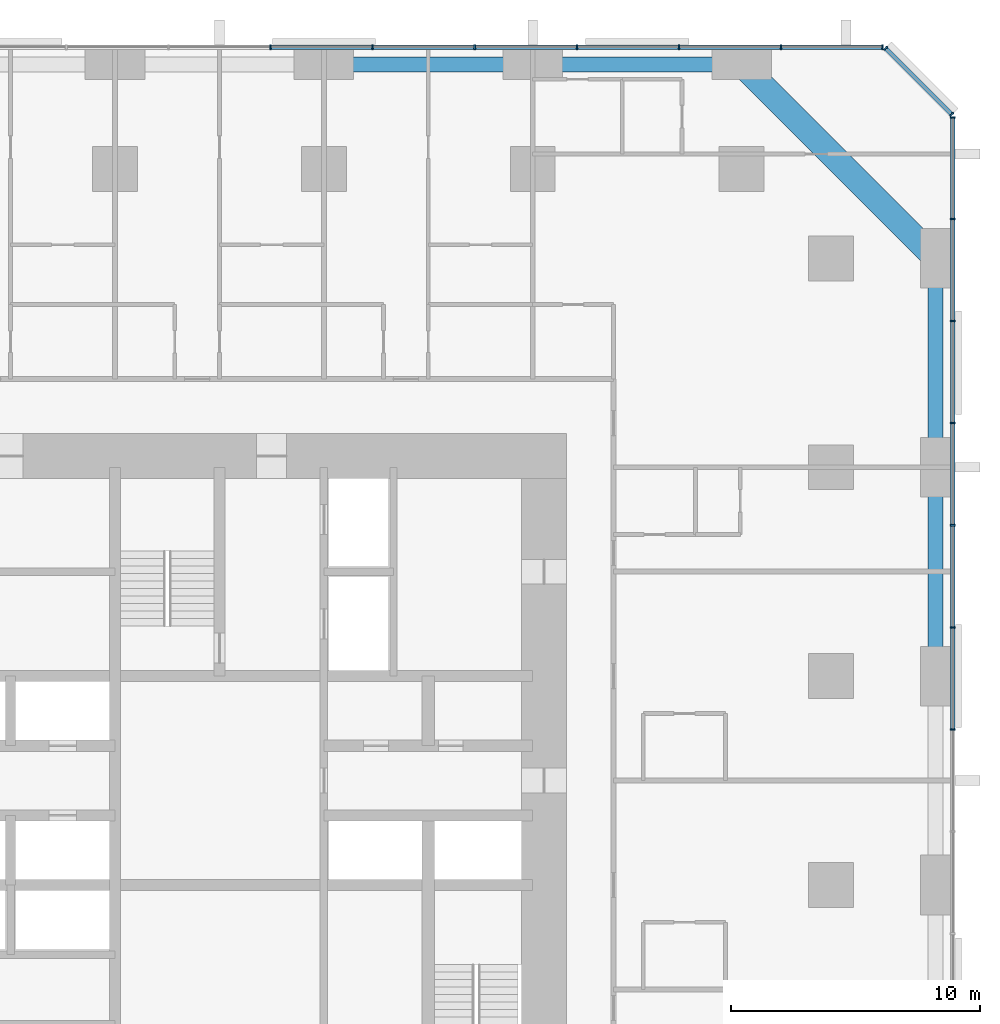
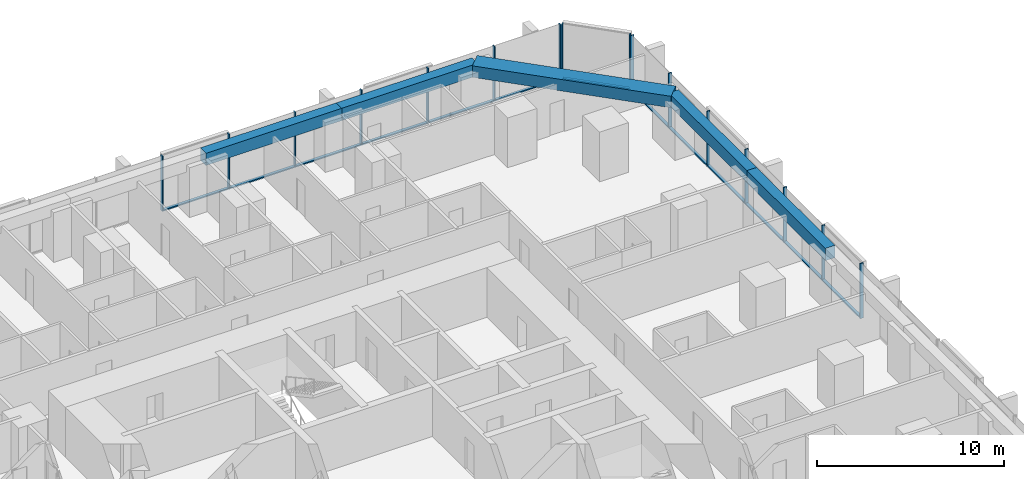
# One storey, part 8 of 17: 29 members, 5 beams, 3 elements without a shape of their own.
"""IFC4 building model written with IfcOpenShell, lengths in metres."""

import ifcopenshell
import ifcopenshell.guid

model = None  # the IFC model being written
_history = None  # IfcOwnerHistory: only IFC2X3 demands one
_inside = {}  # id of a spatial element -> (the spatial element, [elements in it])
_under = {}  # id of a project, library or spatial element -> (it, [spatial elements below it])
_declared = {}  # id of a project -> (the project, [libraries it declares])
_typed = {}  # id of a type object -> (the type object, [elements of that type])
_made_of = {}  # id of a material, layer set ... -> (it, [elements and type objects made of it])


def new_model(schema):
    """Start an empty IFC model of exactly this schema.

    Asked for "IFC4X3", IfcOpenShell would pick the latest addendum, in which some entities
    have other attributes; the version numbers below select the first issue.
    IFC2X3 requires an IfcOwnerHistory on every rooted entity: one is made here for all.
    """
    global model, _history
    if schema == "IFC4X3":
        model = ifcopenshell.file(schema_version=(4, 3, 0, 0))
    else:
        model = ifcopenshell.file(schema=schema)
    _inside.clear()
    _under.clear()
    _declared.clear()
    _typed.clear()
    _made_of.clear()
    _history = None
    if model.schema == "IFC2X3":
        org = make("IfcOrganization", Name="unknown")
        user = make(
            "IfcPersonAndOrganization",
            ThePerson=make("IfcPerson", FamilyName="unknown"),
            TheOrganization=org,
        )
        app = make(
            "IfcApplication",
            ApplicationDeveloper=org,
            Version="unknown",
            ApplicationFullName="unknown",
            ApplicationIdentifier="unknown",
        )
        _history = make(
            "IfcOwnerHistory",
            OwningUser=user,
            OwningApplication=app,
            ChangeAction="ADDED",
            CreationDate=0,
        )
    return model


def make(cls, **values):
    """One entity of the class cls with the attributes given. An attribute that is None is left unset."""
    return model.create_entity(
        cls, **{name: value for name, value in values.items() if value is not None}
    )


def rooted(cls, **values):
    """An entity with a GlobalId (a new one), such as an element, a storey or a relation."""
    return make(cls, GlobalId=ifcopenshell.guid.new(), OwnerHistory=_history, **values)


def si_unit(unit_type, name, prefix=None):
    """IfcSIUnit, for example si_unit("LENGTHUNIT", "METRE", prefix="MILLI")."""
    return make("IfcSIUnit", UnitType=unit_type, Prefix=prefix, Name=name)


def assignment(units):
    """IfcUnitAssignment: the units of a project."""
    return None if units is None else make("IfcUnitAssignment", Units=units)


def point(xyz):
    """IfcCartesianPoint."""
    return None if xyz is None else make("IfcCartesianPoint", Coordinates=xyz)


def direction(xyz):
    """IfcDirection."""
    return None if xyz is None else make("IfcDirection", DirectionRatios=xyz)


def frame(location, z_axis=None, x_axis=None):
    """IfcAxis2Placement3D, a coordinate frame: its origin and axes. An axis left out is left unset."""
    return make(
        "IfcAxis2Placement3D",
        Location=point(location),
        Axis=direction(z_axis),
        RefDirection=direction(x_axis),
    )


def frame_2d(location, x_axis=None):
    """IfcAxis2Placement2D, a coordinate frame in the plane: its origin and x axis."""
    return make(
        "IfcAxis2Placement2D", Location=point(location), RefDirection=direction(x_axis)
    )


def origin():
    """The frame at (0, 0, 0) with its axes left unset."""
    return frame((0.0, 0.0, 0.0))


def origin_2d():
    """The frame at (0, 0) in the plane with its x axis left unset."""
    return frame_2d((0.0, 0.0))


def place(relative_to, where):
    """IfcLocalPlacement: puts the frame where relative to a parent placement (None: the world)."""
    return make(
        "IfcLocalPlacement", PlacementRelTo=relative_to, RelativePlacement=where
    )


def context(
    kind, dimensions, precision=None, world=None, true_north=None, identifier=None
):
    """IfcGeometricRepresentationContext, for example the 3D "Model" context."""
    return make(
        "IfcGeometricRepresentationContext",
        ContextIdentifier=identifier,
        ContextType=kind,
        CoordinateSpaceDimension=dimensions,
        Precision=precision,
        WorldCoordinateSystem=world,
        TrueNorth=true_north,
    )


def subcontext(parent, identifier, kind, view, scale=None):
    """IfcGeometricRepresentationSubContext, for example "Body" below "Model"."""
    return make(
        "IfcGeometricRepresentationSubContext",
        ContextIdentifier=identifier,
        ContextType=kind,
        ParentContext=parent,
        TargetScale=scale,
        TargetView=view,
    )


def project(units=None, contexts=None):
    """IfcProject with its units and contexts."""
    return rooted(
        "IfcProject",
        Name="project",
        RepresentationContexts=contexts,
        UnitsInContext=assignment(units),
    )


def spatial(cls, under=None, at=None, **own):
    """A site, building, storey or space (cls), placed at a placement, below another one or the project."""
    s = rooted(cls, ObjectPlacement=at, **own)
    if under is not None:
        _under.setdefault(under.id(), (under, []))[1].append(s)
    return s


def profile(cls, at=None, kind="AREA", **sizes):
    """A parametric profile (cls). Its sizes go by their IFC names, for example OverallWidth=200.0."""
    return make(cls, ProfileType=kind, Position=at, **sizes)


def rectangle(**sizes):
    """IfcRectangleProfileDef."""
    return profile("IfcRectangleProfileDef", **sizes)


def extrude(swept, where, along, depth):
    """IfcExtrudedAreaSolid: the profile swept, set in the frame where, extruded along a direction by depth."""
    return make(
        "IfcExtrudedAreaSolid",
        SweptArea=swept,
        Position=where,
        ExtrudedDirection=direction(along),
        Depth=depth,
    )


def shape(context_of_items, identifier, shape_type, items):
    """IfcShapeRepresentation: the items that make up one representation, for example the "Body"."""
    return make(
        "IfcShapeRepresentation",
        ContextOfItems=context_of_items,
        RepresentationIdentifier=identifier,
        RepresentationType=shape_type,
        Items=items,
    )


def material(Name=None, Category=None):
    """IfcMaterial."""
    return make("IfcMaterial", Name=Name, Category=Category)


def material_profile(
    of_material, cross_section, Name=None, Category=None, Priority=None
):
    """IfcMaterialProfile: a cross section and its material."""
    return make(
        "IfcMaterialProfile",
        Name=Name,
        Material=of_material,
        Profile=cross_section,
        Priority=Priority,
        Category=Category,
    )


def profile_set(profiles, Name=None, composite=None):
    """IfcMaterialProfileSet."""
    return make(
        "IfcMaterialProfileSet",
        Name=Name,
        MaterialProfiles=profiles,
        CompositeProfile=composite,
    )


def made_of(thing, what):
    """Note that an element or type object is made of a material, layer set ...; save() writes the relation."""
    if what is not None:
        _made_of.setdefault(what.id(), (what, []))[1].append(thing)
    return thing


def type_object(cls, material=None, **own):
    """A type object (cls), such as IfcWallType, which elements share."""
    return made_of(rooted(cls, **own), material)


def element(
    cls,
    number,
    at=None,
    inside=None,
    cuts=None,
    type_object=None,
    material=None,
    context=None,
    identifier="Body",
    shape_type=None,
    held_by="IfcProductDefinitionShape",
    body=None,
    shapes=None,
    **own,
):
    """One element of the class cls, such as IfcWall. Its Tag is "e" and its number.

    at: its placement. inside: the storey or other place that contains it. cuts: it is an
    opening in that element (IfcRelVoidsElement). A single representation is given by context,
    identifier, shape_type and body (its items); several are given by shapes. held_by: the class
    of the entity that holds the representations. save() writes the other relations.
    """
    e = rooted(cls, Tag="e%d" % number, ObjectPlacement=at, **own)
    if body is not None:
        shapes = [shape(context, identifier, shape_type, body)]
    if shapes is not None:
        e.Representation = make(held_by, Representations=shapes)
    if inside is not None:
        _inside.setdefault(inside.id(), (inside, []))[1].append(e)
    if cuts is not None:
        rooted(
            "IfcRelVoidsElement", RelatingBuildingElement=cuts, RelatedOpeningElement=e
        )
    if type_object is not None:
        _typed.setdefault(type_object.id(), (type_object, []))[1].append(e)
    return made_of(e, material)


def aggregate(whole, parts):
    """IfcRelAggregates: a whole, such as a stair, and the parts it consists of."""
    return rooted("IfcRelAggregates", RelatingObject=whole, RelatedObjects=parts)


def save(model, path):
    """Write the relations noted so far, then the file.

    IfcRelAggregates (storeys below a building ...), IfcRelContainedInSpatialStructure (elements
    in a storey), IfcRelDefinesByType, IfcRelAssociatesMaterial and IfcRelDeclares: one each for
    every whole, place, type object, material and project.
    """
    for whole, parts in _under.values():
        aggregate(whole, parts)
    for where, things in _inside.values():
        rooted(
            "IfcRelContainedInSpatialStructure",
            RelatedElements=things,
            RelatingStructure=where,
        )
    for kind, things in _typed.values():
        rooted("IfcRelDefinesByType", RelatedObjects=things, RelatingType=kind)
    for what, things in _made_of.values():
        rooted("IfcRelAssociatesMaterial", RelatedObjects=things, RelatingMaterial=what)
    for by, libraries in _declared.values():
        rooted("IfcRelDeclares", RelatingContext=by, RelatedDefinitions=libraries)
    model.write(path)


model = new_model("IFC4")

# Units and contexts
model_context = context("Model", 3, precision=1e-05, world=origin(), true_north=direction((0.0, 1.0)))
body_context = subcontext(model_context, "Body", "Model", "MODEL_VIEW")
ifc_project = project(units=[si_unit("LENGTHUNIT", "METRE"), si_unit("AREAUNIT", "SQUARE_METRE"), si_unit("VOLUMEUNIT", "CUBIC_METRE"), si_unit("PLANEANGLEUNIT", "RADIAN"), si_unit("MASSUNIT", "GRAM", prefix="KILO")], contexts=[model_context])

# Site, building, storey
site_placement = place(None, origin())
site = spatial("IfcSite", under=ifc_project, at=site_placement, CompositionType="ELEMENT")
building_placement = place(site_placement, origin())
building = spatial("IfcBuilding", under=site, at=building_placement, Name="Dunama Terrace Hotel", CompositionType="ELEMENT")
storey_placement = place(building_placement, frame((0.0, 0.0, 45.0)))
storey = spatial("IfcBuildingStorey", under=building, at=storey_placement, Name="L10", CompositionType="ELEMENT", Elevation=45.0)

# Curtain wall, members
ifc_material_1 = material(Name="Aluminium curtain wall system", Category="aluminium")
curtain_wall_type = type_object("IfcCurtainWallType", Name="Unitised fritted glass wall CW-A", PredefinedType="NOTDEFINED", material=ifc_material_1)
curtain_wall_1_placement = place(storey_placement, origin())
curtain_wall_1 = element("IfcCurtainWall", 1, at=curtain_wall_1_placement, inside=storey, type_object=curtain_wall_type, Name="Unitised fritted glass wall CW-A L10", PredefinedType="NOTDEFINED")
ifc_material_2 = material(Name="Aluminium mullion", Category="aluminium")
ifc_material_profile_1 = material_profile(ifc_material_2, rectangle(XDim=0.06494140625, YDim=0.199951171875, at=origin_2d()), Name="CWA MULLION 65X200")
ifc_profile_set_1 = profile_set([ifc_material_profile_1], Name="Aluminium mullion")
member_type_1 = type_object("IfcMemberType", Name="CWA mullion 65x200", PredefinedType="MULLION", material=ifc_profile_set_1)
member_1_placement = place(storey_placement, frame((58.89990234375, 31.4541015625, 0.0), z_axis=(0.0, 0.0, 1.0), x_axis=(0.0, 1.0, 0.0)))
member_1 = element("IfcMember", 2, at=member_1_placement, type_object=member_type_1, Name="CWA mullion", PredefinedType="MULLION", context=body_context, shape_type="SweptSolid", body=[
    extrude(rectangle(XDim=0.06494140625, YDim=0.199951171875, at=origin_2d()), origin(), (0.0, 0.0, 1.0), 3.60009765625),
])
member_2_placement = place(storey_placement, frame((58.89990234375, 35.56201171875, 0.0), z_axis=(0.0, 0.0, 1.0), x_axis=(0.0, 1.0, 0.0)))
member_2 = element("IfcMember", 3, at=member_2_placement, type_object=member_type_1, Name="CWA mullion", PredefinedType="MULLION", context=body_context, shape_type="SweptSolid", body=[
    extrude(rectangle(XDim=0.06494140625, YDim=0.199951171875, at=origin_2d()), origin(), (0.0, 0.0, 1.0), 3.60009765625),
])
member_3_placement = place(storey_placement, frame((58.89990234375, 39.6689453125, 0.0), z_axis=(0.0, 0.0, 1.0), x_axis=(0.0, 1.0, 0.0)))
member_3 = element("IfcMember", 4, at=member_3_placement, type_object=member_type_1, Name="CWA mullion", PredefinedType="MULLION", context=body_context, shape_type="SweptSolid", body=[
    extrude(rectangle(XDim=0.06494140625, YDim=0.199951171875, at=origin_2d()), origin(), (0.0, 0.0, 1.0), 3.60009765625),
])
member_4_placement = place(storey_placement, frame((58.89990234375, 43.777099609375, 0.0), z_axis=(0.0, 0.0, 1.0), x_axis=(0.0, 1.0, 0.0)))
member_4 = element("IfcMember", 5, at=member_4_placement, type_object=member_type_1, Name="CWA mullion", PredefinedType="MULLION", context=body_context, shape_type="SweptSolid", body=[
    extrude(rectangle(XDim=0.06494140625, YDim=0.199951171875, at=origin_2d()), origin(), (0.0, 0.0, 1.0), 3.60009765625),
])
member_5_placement = place(storey_placement, frame((58.89990234375, 47.885009765625, 0.0), z_axis=(0.0, 0.0, 1.0), x_axis=(0.0, 1.0, 0.0)))
member_5 = element("IfcMember", 6, at=member_5_placement, type_object=member_type_1, Name="CWA mullion", PredefinedType="MULLION", context=body_context, shape_type="SweptSolid", body=[
    extrude(rectangle(XDim=0.06494140625, YDim=0.199951171875, at=origin_2d()), origin(), (0.0, 0.0, 1.0), 3.60009765625),
])
member_6_placement = place(storey_placement, frame((58.89990234375, 51.991943359375, 0.0), z_axis=(0.0, 0.0, 1.0), x_axis=(0.0, 1.0, 0.0)))
member_6 = element("IfcMember", 7, at=member_6_placement, type_object=member_type_1, Name="CWA mullion", PredefinedType="MULLION", context=body_context, shape_type="SweptSolid", body=[
    extrude(rectangle(XDim=0.06494140625, YDim=0.199951171875, at=origin_2d()), origin(), (0.0, 0.0, 1.0), 3.60009765625),
])
member_7_placement = place(storey_placement, frame((58.89990234375, 56.06689453125, 0.0), z_axis=(0.0, 0.0, 1.0), x_axis=(0.0, 1.0, 0.0)))
member_7 = element("IfcMember", 8, at=member_7_placement, type_object=member_type_1, Name="CWA mullion", PredefinedType="MULLION", context=body_context, shape_type="SweptSolid", body=[
    extrude(rectangle(XDim=0.06494140625, YDim=0.199951171875, at=origin_2d()), origin(), (0.0, 0.0, 1.0), 3.60009765625),
])

curtain_wall_2_placement = place(storey_placement, origin())
curtain_wall_2 = element("IfcCurtainWall", 9, at=curtain_wall_2_placement, inside=storey, type_object=curtain_wall_type, Name="Unitised fritted glass wall CW-A L10", PredefinedType="NOTDEFINED")
member_8_placement = place(storey_placement, frame((58.847900390625, 56.194091796875, 0.0), z_axis=(0.0, 0.0, 1.0), x_axis=(-0.707106781187, 0.707106781187, 0.0)))
member_8 = element("IfcMember", 10, at=member_8_placement, type_object=member_type_1, Name="CWA mullion", PredefinedType="MULLION", context=body_context, shape_type="SweptSolid", body=[
    extrude(rectangle(XDim=0.06494140625, YDim=0.199951171875, at=origin_2d()), origin(), (0.0, 0.0, 1.0), 3.60009765625),
])
member_9_placement = place(storey_placement, frame((56.194091796875, 58.847900390625, 0.0), z_axis=(0.0, 0.0, 1.0), x_axis=(-0.707106781187, 0.707106781187, 0.0)))
member_9 = element("IfcMember", 11, at=member_9_placement, type_object=member_type_1, Name="CWA mullion", PredefinedType="MULLION", context=body_context, shape_type="SweptSolid", body=[
    extrude(rectangle(XDim=0.06494140625, YDim=0.199951171875, at=origin_2d()), origin(), (0.0, 0.0, 1.0), 3.60009765625),
])

curtain_wall_3_placement = place(storey_placement, origin())
curtain_wall_3 = element("IfcCurtainWall", 12, at=curtain_wall_3_placement, inside=storey, type_object=curtain_wall_type, Name="Unitised fritted glass wall CW-A L10", PredefinedType="NOTDEFINED")
member_10_placement = place(storey_placement, frame((56.06689453125, 58.89990234375, 0.0), z_axis=(0.0, 0.0, 1.0), x_axis=(-1.0, 0.0, 0.0)))
member_10 = element("IfcMember", 13, at=member_10_placement, type_object=member_type_1, Name="CWA mullion", PredefinedType="MULLION", context=body_context, shape_type="SweptSolid", body=[
    extrude(rectangle(XDim=0.06494140625, YDim=0.199951171875, at=origin_2d()), origin(), (0.0, 0.0, 1.0), 3.60009765625),
])
member_11_placement = place(storey_placement, frame((51.991943359375, 58.89990234375, 0.0), z_axis=(0.0, 0.0, 1.0), x_axis=(-1.0, 0.0, 0.0)))
member_11 = element("IfcMember", 14, at=member_11_placement, type_object=member_type_1, Name="CWA mullion", PredefinedType="MULLION", context=body_context, shape_type="SweptSolid", body=[
    extrude(rectangle(XDim=0.06494140625, YDim=0.199951171875, at=origin_2d()), origin(), (0.0, 0.0, 1.0), 3.60009765625),
])
member_12_placement = place(storey_placement, frame((47.885009765625, 58.89990234375, 0.0), z_axis=(0.0, 0.0, 1.0), x_axis=(-1.0, 0.0, 0.0)))
member_12 = element("IfcMember", 15, at=member_12_placement, type_object=member_type_1, Name="CWA mullion", PredefinedType="MULLION", context=body_context, shape_type="SweptSolid", body=[
    extrude(rectangle(XDim=0.06494140625, YDim=0.199951171875, at=origin_2d()), origin(), (0.0, 0.0, 1.0), 3.60009765625),
])
member_13_placement = place(storey_placement, frame((43.777099609375, 58.89990234375, 0.0), z_axis=(0.0, 0.0, 1.0), x_axis=(-1.0, 0.0, 0.0)))
member_13 = element("IfcMember", 16, at=member_13_placement, type_object=member_type_1, Name="CWA mullion", PredefinedType="MULLION", context=body_context, shape_type="SweptSolid", body=[
    extrude(rectangle(XDim=0.06494140625, YDim=0.199951171875, at=origin_2d()), origin(), (0.0, 0.0, 1.0), 3.60009765625),
])
member_14_placement = place(storey_placement, frame((39.6689453125, 58.89990234375, 0.0), z_axis=(0.0, 0.0, 1.0), x_axis=(-1.0, 0.0, 0.0)))
member_14 = element("IfcMember", 17, at=member_14_placement, type_object=member_type_1, Name="CWA mullion", PredefinedType="MULLION", context=body_context, shape_type="SweptSolid", body=[
    extrude(rectangle(XDim=0.06494140625, YDim=0.199951171875, at=origin_2d()), origin(), (0.0, 0.0, 1.0), 3.60009765625),
])
member_15_placement = place(storey_placement, frame((35.56201171875, 58.89990234375, 0.0), z_axis=(0.0, 0.0, 1.0), x_axis=(-1.0, 0.0, 0.0)))
member_15 = element("IfcMember", 18, at=member_15_placement, type_object=member_type_1, Name="CWA mullion", PredefinedType="MULLION", context=body_context, shape_type="SweptSolid", body=[
    extrude(rectangle(XDim=0.06494140625, YDim=0.199951171875, at=origin_2d()), origin(), (0.0, 0.0, 1.0), 3.60009765625),
])
member_16_placement = place(storey_placement, frame((31.4541015625, 58.89990234375, 0.0), z_axis=(0.0, 0.0, 1.0), x_axis=(-1.0, 0.0, 0.0)))
member_16 = element("IfcMember", 19, at=member_16_placement, type_object=member_type_1, Name="CWA mullion", PredefinedType="MULLION", context=body_context, shape_type="SweptSolid", body=[
    extrude(rectangle(XDim=0.06494140625, YDim=0.199951171875, at=origin_2d()), origin(), (0.0, 0.0, 1.0), 3.60009765625),
])

# Member
ifc_material_3 = material(Name="Aluminium transom", Category="aluminium")
ifc_material_profile_2 = material_profile(ifc_material_3, rectangle(XDim=0.179931640625, YDim=0.074951171875, at=origin_2d()), Name="CWA TRANSOM 180X75")
ifc_profile_set_2 = profile_set([ifc_material_profile_2], Name="Aluminium transom")
member_type_2 = type_object("IfcMemberType", Name="CWA transom 180x75", PredefinedType="USERDEFINED", material=ifc_profile_set_2)
member_17_placement = place(storey_placement, frame((58.89990234375, 31.486083984375, 0.03759765625), z_axis=(0.0, 1.0, 0.0), x_axis=(-1.0, 0.0, 0.0)))
member_17 = element("IfcMember", 20, at=member_17_placement, type_object=member_type_2, Name="CWA transom", ObjectType="TRANSOM", PredefinedType="USERDEFINED", context=body_context, shape_type="SweptSolid", body=[
    extrude(rectangle(XDim=0.179931640625, YDim=0.074951171875, at=origin_2d()), origin(), (0.0, 0.0, 1.0), 4.04296875),
])

member_18_placement = place(storey_placement, frame((58.89990234375, 35.593994140625, 0.03759765625), z_axis=(0.0, 1.0, 0.0), x_axis=(-1.0, 0.0, 0.0)))
member_18 = element("IfcMember", 21, at=member_18_placement, type_object=member_type_2, Name="CWA transom", ObjectType="TRANSOM", PredefinedType="USERDEFINED", context=body_context, shape_type="SweptSolid", body=[
    extrude(rectangle(XDim=0.179931640625, YDim=0.074951171875, at=origin_2d()), origin(), (0.0, 0.0, 1.0), 4.04296875),
])

member_19_placement = place(storey_placement, frame((58.89990234375, 39.701904296875, 0.03759765625), z_axis=(0.0, 1.0, 0.0), x_axis=(-1.0, 0.0, 0.0)))
member_19 = element("IfcMember", 22, at=member_19_placement, type_object=member_type_2, Name="CWA transom", ObjectType="TRANSOM", PredefinedType="USERDEFINED", context=body_context, shape_type="SweptSolid", body=[
    extrude(rectangle(XDim=0.179931640625, YDim=0.074951171875, at=origin_2d()), origin(), (0.0, 0.0, 1.0), 4.0419921875),
])

member_20_placement = place(storey_placement, frame((58.89990234375, 43.80908203125, 0.03759765625), z_axis=(0.0, 1.0, 0.0), x_axis=(-1.0, 0.0, 0.0)))
member_20 = element("IfcMember", 23, at=member_20_placement, type_object=member_type_2, Name="CWA transom", ObjectType="TRANSOM", PredefinedType="USERDEFINED", context=body_context, shape_type="SweptSolid", body=[
    extrude(rectangle(XDim=0.179931640625, YDim=0.074951171875, at=origin_2d()), origin(), (0.0, 0.0, 1.0), 4.04296875),
])

member_21_placement = place(storey_placement, frame((58.89990234375, 47.9169921875, 0.03759765625), z_axis=(0.0, 1.0, 0.0), x_axis=(-1.0, 0.0, 0.0)))
member_21 = element("IfcMember", 24, at=member_21_placement, type_object=member_type_2, Name="CWA transom", ObjectType="TRANSOM", PredefinedType="USERDEFINED", context=body_context, shape_type="SweptSolid", body=[
    extrude(rectangle(XDim=0.179931640625, YDim=0.074951171875, at=origin_2d()), origin(), (0.0, 0.0, 1.0), 4.04296875),
])

member_22_placement = place(storey_placement, frame((58.89990234375, 52.02490234375, 0.03759765625), z_axis=(0.0, 1.0, 0.0), x_axis=(-1.0, 0.0, 0.0)))
member_22 = element("IfcMember", 25, at=member_22_placement, type_object=member_type_2, Name="CWA transom", ObjectType="TRANSOM", PredefinedType="USERDEFINED", context=body_context, shape_type="SweptSolid", body=[
    extrude(rectangle(XDim=0.179931640625, YDim=0.074951171875, at=origin_2d()), origin(), (0.0, 0.0, 1.0), 4.010009765625),
])

aggregate(curtain_wall_1, [member_1, member_2, member_3, member_4, member_5, member_6, member_7, member_17, member_18, member_19, member_20, member_21, member_22])

member_23_placement = place(storey_placement, frame((58.824951171875, 56.217041015625, 0.03759765625), z_axis=(-0.707106781187, 0.707106781187, 0.0), x_axis=(-0.707106781187, -0.707106781187, 0.0)))
member_23 = element("IfcMember", 26, at=member_23_placement, type_object=member_type_2, Name="CWA transom", ObjectType="TRANSOM", PredefinedType="USERDEFINED", context=body_context, shape_type="SweptSolid", body=[
    extrude(rectangle(XDim=0.179931640625, YDim=0.074951171875, at=origin_2d()), origin(), (0.0, 0.0, 1.0), 3.688232421875),
])

aggregate(curtain_wall_2, [member_8, member_9, member_23])

member_24_placement = place(storey_placement, frame((56.034912109375, 58.89990234375, 0.03759765625), z_axis=(-1.0, 0.0, 0.0), x_axis=(0.0, -1.0, 0.0)))
member_24 = element("IfcMember", 27, at=member_24_placement, type_object=member_type_2, Name="CWA transom", ObjectType="TRANSOM", PredefinedType="USERDEFINED", context=body_context, shape_type="SweptSolid", body=[
    extrude(rectangle(XDim=0.179931640625, YDim=0.074951171875, at=origin_2d()), origin(), (0.0, 0.0, 1.0), 4.010009765625),
])

member_25_placement = place(storey_placement, frame((51.9599609375, 58.89990234375, 0.03759765625), z_axis=(-1.0, 0.0, 0.0), x_axis=(0.0, -1.0, 0.0)))
member_25 = element("IfcMember", 28, at=member_25_placement, type_object=member_type_2, Name="CWA transom", ObjectType="TRANSOM", PredefinedType="USERDEFINED", context=body_context, shape_type="SweptSolid", body=[
    extrude(rectangle(XDim=0.179931640625, YDim=0.074951171875, at=origin_2d()), origin(), (0.0, 0.0, 1.0), 4.04296875),
])

member_26_placement = place(storey_placement, frame((47.85205078125, 58.89990234375, 0.03759765625), z_axis=(-1.0, 0.0, 0.0), x_axis=(0.0, -1.0, 0.0)))
member_26 = element("IfcMember", 29, at=member_26_placement, type_object=member_type_2, Name="CWA transom", ObjectType="TRANSOM", PredefinedType="USERDEFINED", context=body_context, shape_type="SweptSolid", body=[
    extrude(rectangle(XDim=0.179931640625, YDim=0.074951171875, at=origin_2d()), origin(), (0.0, 0.0, 1.0), 4.04296875),
])

member_27_placement = place(storey_placement, frame((43.743896484375, 58.89990234375, 0.03759765625), z_axis=(-1.0, 0.0, 0.0), x_axis=(0.0, -1.0, 0.0)))
member_27 = element("IfcMember", 30, at=member_27_placement, type_object=member_type_2, Name="CWA transom", ObjectType="TRANSOM", PredefinedType="USERDEFINED", context=body_context, shape_type="SweptSolid", body=[
    extrude(rectangle(XDim=0.179931640625, YDim=0.074951171875, at=origin_2d()), origin(), (0.0, 0.0, 1.0), 4.0419921875),
])

member_28_placement = place(storey_placement, frame((39.636962890625, 58.89990234375, 0.03759765625), z_axis=(-1.0, 0.0, 0.0), x_axis=(0.0, -1.0, 0.0)))
member_28 = element("IfcMember", 31, at=member_28_placement, type_object=member_type_2, Name="CWA transom", ObjectType="TRANSOM", PredefinedType="USERDEFINED", context=body_context, shape_type="SweptSolid", body=[
    extrude(rectangle(XDim=0.179931640625, YDim=0.074951171875, at=origin_2d()), origin(), (0.0, 0.0, 1.0), 4.04296875),
])

member_29_placement = place(storey_placement, frame((35.529052734375, 58.89990234375, 0.03759765625), z_axis=(-1.0, 0.0, 0.0), x_axis=(0.0, -1.0, 0.0)))
member_29 = element("IfcMember", 32, at=member_29_placement, type_object=member_type_2, Name="CWA transom", ObjectType="TRANSOM", PredefinedType="USERDEFINED", context=body_context, shape_type="SweptSolid", body=[
    extrude(rectangle(XDim=0.179931640625, YDim=0.074951171875, at=origin_2d()), origin(), (0.0, 0.0, 1.0), 4.04296875),
])

aggregate(curtain_wall_3, [member_10, member_11, member_12, member_13, member_14, member_15, member_16, member_24, member_25, member_26, member_27, member_28, member_29])

# Beams
ifc_material_4 = material(Name="Concrete C50/60", Category="concrete")
ifc_material_profile_3 = material_profile(ifc_material_4, rectangle(XDim=1.0, YDim=0.75, at=origin_2d()), Name="RC 1000x750")
ifc_profile_set_3 = profile_set([ifc_material_profile_3], Name="Concrete C50/60")
beam_type_1 = type_object("IfcBeamType", Name="Edge beam RC 1000x750", PredefinedType="SPANDREL", material=ifc_profile_set_3)
beam_placement = place(storey_placement, frame((50.39990234375, 58.199951171875, 3.22509765625), z_axis=(0.707106781187, -0.707106781187, 0.0), x_axis=(0.707106781187, 0.707106781187, 0.0)))
element("IfcBeam", 33, at=beam_placement, inside=storey, type_object=beam_type_1, Name="Corner edge beam under L11", PredefinedType="SPANDREL", context=body_context, shape_type="SweptSolid", body=[
    extrude(rectangle(XDim=1.0, YDim=0.75, at=origin_2d()), origin(), (0.0, 0.0, 1.0), 11.031005859375),
])
ifc_material_5 = material(Name="Concrete C40/50", Category="concrete")
ifc_material_profile_4 = material_profile(ifc_material_5, rectangle(XDim=0.60009765625, YDim=0.800048828125, at=origin_2d()), Name="RC 600x800")
ifc_profile_set_4 = profile_set([ifc_material_profile_4], Name="Concrete C40/50")
beam_type_2 = type_object("IfcBeamType", Name="Edge beam RC 600x800", PredefinedType="SPANDREL", material=ifc_profile_set_4)
for number, where, z_axis, x_axis, name in (
    (34, (58.199951171875, 33.60009765625, 3.199951171875), (0.0, 1.0, 0.0), (-1.0, 0.0, 0.0), "Edge beam under L11"),
    (35, (58.199951171875, 42.0, 3.199951171875), (0.0, 1.0, 0.0), (-1.0, 0.0, 0.0), "Edge beam under L11"),
    (36, (33.60009765625, 58.199951171875, 3.199951171875), (1.0, 0.0, 0.0), (0.0, 1.0, 0.0), "Edge beam under L11"),
    (37, (42.0, 58.199951171875, 3.199951171875), (1.0, 0.0, 0.0), (0.0, 1.0, 0.0), "Edge beam under L11"),
):
    element("IfcBeam", number, at=place(storey_placement, frame(where, z_axis=z_axis, x_axis=x_axis)), inside=storey, type_object=beam_type_2, Name=name, PredefinedType="SPANDREL", context=body_context, shape_type="SweptSolid", body=[
        extrude(rectangle(XDim=0.60009765625, YDim=0.800048828125, at=origin_2d()), origin(), (0.0, 0.0, 1.0), 8.39990234375),
    ])

save(model, "model.ifc")
